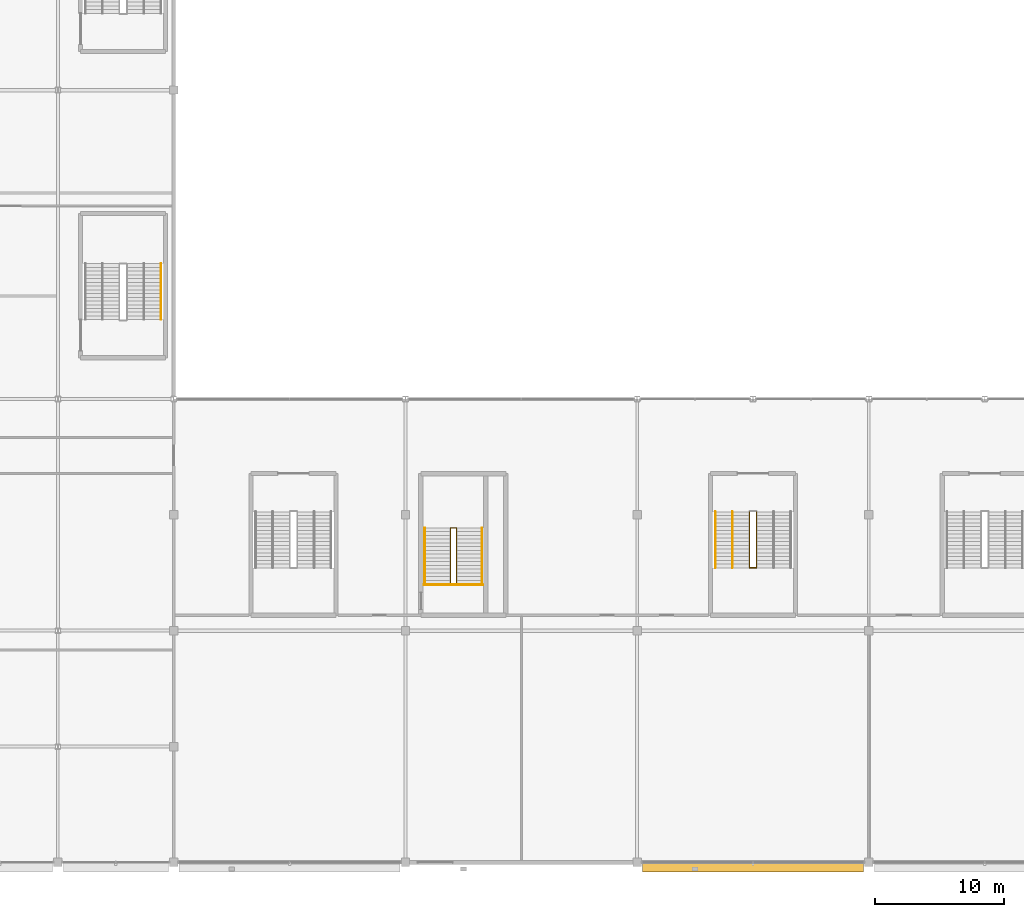
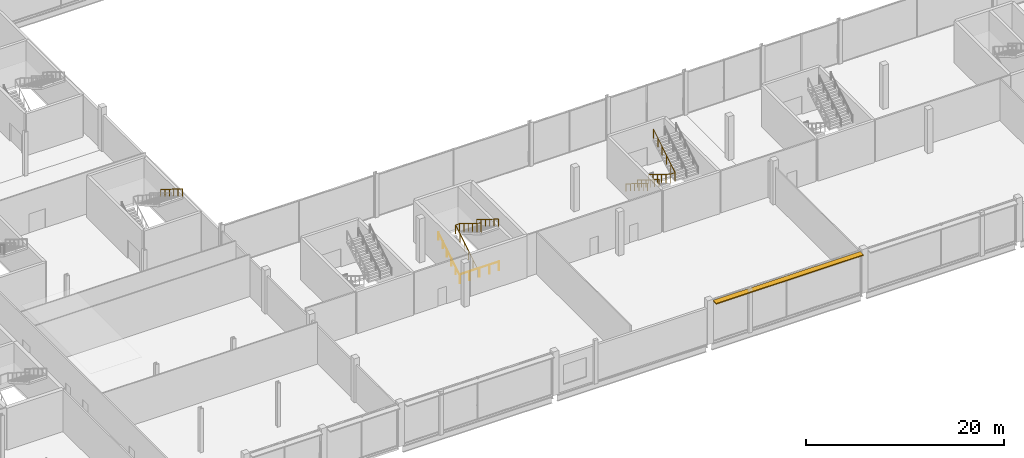
# One storey, part 99 of 111: 8 railings, 1 shading device.
"""IFC4 building model written with IfcOpenShell, lengths in metres."""

from ifc_helpers import new_model, si_unit, direction, frame, origin, origin_2d, place, context, subcontext, project, spatial, rectangle, circle, extrude, material, type_object, element, save


model = new_model("IFC4")

# Units and contexts
model_context = context("Model", 3, precision=1e-05, world=origin(), true_north=direction((0.0, 1.0)))
body_context = subcontext(model_context, "Body", "Model", "MODEL_VIEW")
ifc_project = project(units=[si_unit("LENGTHUNIT", "METRE"), si_unit("AREAUNIT", "SQUARE_METRE"), si_unit("VOLUMEUNIT", "CUBIC_METRE"), si_unit("PLANEANGLEUNIT", "RADIAN"), si_unit("MASSUNIT", "GRAM", prefix="KILO")], contexts=[model_context])

# Site, building, storey
site_placement = place(None, origin())
site = spatial("IfcSite", under=ifc_project, at=site_placement, CompositionType="ELEMENT")
building_placement = place(site_placement, origin())
building = spatial("IfcBuilding", under=site, at=building_placement, Name="Kisiwana Market Hall", CompositionType="ELEMENT")
storey_placement = place(building_placement, frame((0.0, 0.0, 11.39990234375)))
storey = spatial("IfcBuildingStorey", under=building, at=storey_placement, Name="L02", CompositionType="ELEMENT", Elevation=11.39990234375)

# Railings
ifc_material_1 = material(Name="Steel S275", Category="steel")
railing_type_1 = type_object("IfcRailingType", Name="RL-GUARD-1100", PredefinedType="GUARDRAIL", material=ifc_material_1)
railing_1_placement = place(storey_placement, frame((66.5, 21.62939453125, 0.0)))
element("IfcRailing", 1, at=railing_1_placement, inside=storey, type_object=railing_type_1, Name="Stair ST-S1-L02 inner-well guardrail (RL-491)", PredefinedType="GUARDRAIL", context=body_context, shape_type="SweptSolid", body=[
    extrude(circle(Radius=0.02392578125, at=origin_2d()), frame((0.0, 0.0, 1.076171875), z_axis=(0.0, 0.849628378081, 0.527381853271), x_axis=(-1.0, 0.0, 0.0)), (0.0, 0.0, 1.0), 5.1201171875),
    extrude(circle(Radius=0.02392578125, at=origin_2d()), frame((0.0, 4.35009765625, 3.7763671875), z_axis=(1.0, 0.0, 0.0), x_axis=(0.0, 1.0, 0.0)), (0.0, 0.0, 1.0), 0.4599609375),
    extrude(circle(Radius=0.02392578125, at=origin_2d()), frame((0.4599609375, 4.35009765625, 3.7763671875), z_axis=(0.0, -0.849649743971, 0.527347430608), x_axis=(1.0, 0.0, 0.0)), (0.0, 0.0, 1.0), 5.119873046875),
    extrude(circle(Radius=0.02099609375, at=origin_2d()), origin(), (0.0, 0.0, 1.0), 1.052001953125),
    extrude(circle(Radius=0.02099609375, at=origin_2d()), frame((0.0, 0.8701171875, 0.5400390625)), (0.0, 0.0, 1.0), 1.052001953125),
    extrude(circle(Radius=0.02099609375, at=origin_2d()), frame((0.0, 1.739990234375, 1.080078125)), (0.0, 0.0, 1.0), 1.052001953125),
    extrude(circle(Radius=0.02099609375, at=origin_2d()), frame((0.0, 2.610107421875, 1.6201171875)), (0.0, 0.0, 1.0), 1.052001953125),
    extrude(circle(Radius=0.02099609375, at=origin_2d()), frame((0.0, 3.47998046875, 2.16015625)), (0.0, 0.0, 1.0), 1.052001953125),
    extrude(circle(Radius=0.02099609375, at=origin_2d()), frame((0.0, 4.35009765625, 2.7001953125)), (0.0, 0.0, 1.0), 1.052001953125),
    extrude(circle(Radius=0.02099609375, at=origin_2d()), frame((0.4599609375, 4.35009765625, 2.7001953125)), (0.0, 0.0, 1.0), 1.052001953125),
    extrude(circle(Radius=0.02099609375, at=origin_2d()), frame((0.4599609375, 3.47998046875, 3.240234375)), (0.0, 0.0, 1.0), 1.052001953125),
    extrude(circle(Radius=0.02099609375, at=origin_2d()), frame((0.4599609375, 2.610107421875, 3.7802734375)), (0.0, 0.0, 1.0), 1.052001953125),
    extrude(circle(Radius=0.02099609375, at=origin_2d()), frame((0.4599609375, 1.739990234375, 4.320068359375)), (0.0, 0.0, 1.0), 1.052001953125),
    extrude(circle(Radius=0.02099609375, at=origin_2d()), frame((0.4599609375, 0.8701171875, 4.860107421875)), (0.0, 0.0, 1.0), 1.052001953125),
    extrude(circle(Radius=0.02099609375, at=origin_2d()), frame((0.4599609375, 0.0, 5.400146484375)), (0.0, 0.0, 1.0), 1.052001953125),
])
railing_2_placement = place(storey_placement, frame((64.43994140625, 21.569580078125, 0.0)))
element("IfcRailing", 2, at=railing_2_placement, inside=storey, type_object=railing_type_1, Name="Stair ST-S1-L02 landing edge guardrail (RL-494)", PredefinedType="GUARDRAIL", context=body_context, shape_type="SweptSolid", body=[
    extrude(circle(Radius=0.02392578125, at=origin_2d()), frame((0.0, 0.0, 1.076171875), z_axis=(1.0, 0.0, 0.0), x_axis=(0.0, 1.0, 0.0)), (0.0, 0.0, 1.0), 4.580078125),
    extrude(circle(Radius=0.02099609375, at=origin_2d()), origin(), (0.0, 0.0, 1.0), 1.052001953125),
    extrude(circle(Radius=0.02099609375, at=origin_2d()), frame((1.14501953125, 0.0, 0.0)), (0.0, 0.0, 1.0), 1.052001953125),
    extrude(circle(Radius=0.02099609375, at=origin_2d()), frame((2.2900390625, 0.0, 0.0)), (0.0, 0.0, 1.0), 1.052001953125),
    extrude(circle(Radius=0.02099609375, at=origin_2d()), frame((3.43505859375, 0.0, 0.0)), (0.0, 0.0, 1.0), 1.052001953125),
    extrude(circle(Radius=0.02099609375, at=origin_2d()), frame((4.580078125, 0.0, 0.0)), (0.0, 0.0, 1.0), 1.052001953125),
])
railing_3_placement = place(storey_placement, frame((89.719970703125, 27.239990234375, 0.0)))
element("IfcRailing", 3, at=railing_3_placement, inside=storey, type_object=railing_type_1, Name="Stair ST-S4-L02 inner-well guardrail (RL-603)", PredefinedType="GUARDRAIL", context=body_context, shape_type="SweptSolid", body=[
    extrude(circle(Radius=0.02392578125, at=origin_2d()), frame((0.0, 0.0, 1.076171875), z_axis=(0.0, -0.849628378081, 0.527381853271), x_axis=(1.0, 0.0, 0.0)), (0.0, 0.0, 1.0), 5.1201171875),
    extrude(circle(Radius=0.02392578125, at=origin_2d()), frame((0.0, -4.35009765625, 3.7763671875), z_axis=(1.0, 0.0, 0.0), x_axis=(0.0, 1.0, 0.0)), (0.0, 0.0, 1.0), 0.56005859375),
    extrude(circle(Radius=0.02392578125, at=origin_2d()), frame((0.56005859375, -4.35009765625, 3.7763671875), z_axis=(0.0, 0.849649743971, 0.527347430608), x_axis=(-1.0, 0.0, 0.0)), (0.0, 0.0, 1.0), 5.119873046875),
    extrude(circle(Radius=0.02099609375, at=origin_2d()), origin(), (0.0, 0.0, 1.0), 1.052001953125),
    extrude(circle(Radius=0.02099609375, at=origin_2d()), frame((0.0, -0.8701171875, 0.5400390625)), (0.0, 0.0, 1.0), 1.052001953125),
    extrude(circle(Radius=0.02099609375, at=origin_2d()), frame((0.0, -1.739990234375, 1.080078125)), (0.0, 0.0, 1.0), 1.052001953125),
    extrude(circle(Radius=0.02099609375, at=origin_2d()), frame((0.0, -2.610107421875, 1.6201171875)), (0.0, 0.0, 1.0), 1.052001953125),
    extrude(circle(Radius=0.02099609375, at=origin_2d()), frame((0.0, -3.47998046875, 2.16015625)), (0.0, 0.0, 1.0), 1.052001953125),
    extrude(circle(Radius=0.02099609375, at=origin_2d()), frame((0.0, -4.35009765625, 2.7001953125)), (0.0, 0.0, 1.0), 1.052001953125),
    extrude(circle(Radius=0.02099609375, at=origin_2d()), frame((0.56005859375, -4.35009765625, 2.7001953125)), (0.0, 0.0, 1.0), 1.052001953125),
    extrude(circle(Radius=0.02099609375, at=origin_2d()), frame((0.56005859375, -3.47998046875, 3.240234375)), (0.0, 0.0, 1.0), 1.052001953125),
    extrude(circle(Radius=0.02099609375, at=origin_2d()), frame((0.56005859375, -2.610107421875, 3.7802734375)), (0.0, 0.0, 1.0), 1.052001953125),
    extrude(circle(Radius=0.02099609375, at=origin_2d()), frame((0.56005859375, -1.739990234375, 4.320068359375)), (0.0, 0.0, 1.0), 1.052001953125),
    extrude(circle(Radius=0.02099609375, at=origin_2d()), frame((0.56005859375, -0.8701171875, 4.860107421875)), (0.0, 0.0, 1.0), 1.052001953125),
    extrude(circle(Radius=0.02099609375, at=origin_2d()), frame((0.56005859375, 0.0, 5.400146484375)), (0.0, 0.0, 1.0), 1.052001953125),
])
ifc_material_2 = material(Name="Steel S275", Category="steel")
railing_type_2 = type_object("IfcRailingType", Name="RL-HAND-900", PredefinedType="HANDRAIL", material=ifc_material_2)
railing_4_placement = place(storey_placement, frame((64.5, 21.62939453125, 0.0)))
element("IfcRailing", 4, at=railing_4_placement, inside=storey, type_object=railing_type_2, Name="Stair ST-S1-L02 flight 1 handrail (RL-492)", PredefinedType="HANDRAIL", context=body_context, shape_type="SweptSolid", body=[
    extrude(circle(Radius=0.02392578125, at=origin_2d()), frame((0.0, 0.0, 0.8759765625), z_axis=(0.0, 0.849628378081, 0.527381853271), x_axis=(-1.0, 0.0, 0.0)), (0.0, 0.0, 1.0), 5.1201171875),
    extrude(circle(Radius=0.02099609375, at=origin_2d()), origin(), (0.0, 0.0, 1.0), 0.851806640625),
    extrude(circle(Radius=0.02099609375, at=origin_2d()), frame((0.0, 0.8701171875, 0.5400390625)), (0.0, 0.0, 1.0), 0.851806640625),
    extrude(circle(Radius=0.02099609375, at=origin_2d()), frame((0.0, 1.739990234375, 1.080078125)), (0.0, 0.0, 1.0), 0.851806640625),
    extrude(circle(Radius=0.02099609375, at=origin_2d()), frame((0.0, 2.610107421875, 1.6201171875)), (0.0, 0.0, 1.0), 0.851806640625),
    extrude(circle(Radius=0.02099609375, at=origin_2d()), frame((0.0, 3.47998046875, 2.16015625)), (0.0, 0.0, 1.0), 0.851806640625),
    extrude(circle(Radius=0.02099609375, at=origin_2d()), frame((0.0, 4.35009765625, 2.7001953125)), (0.0, 0.0, 1.0), 0.851806640625),
])
for number, where, name in (
    (5, (68.9599609375, 25.9794921875, 2.7001953125), "Stair ST-S1-L02 flight 2 handrail (RL-493)"),
    (6, (44.0, 46.510009765625, 2.7001953125), "Stair ST-W9-L02 flight 2 handrail (RL-557)"),
):
    element("IfcRailing", number, at=place(storey_placement, frame(where)), inside=storey, type_object=railing_type_2, Name=name, PredefinedType="HANDRAIL", context=body_context, shape_type="SweptSolid", body=[
        extrude(circle(Radius=0.02392578125, at=origin_2d()), frame((0.0, 0.0, 0.8759765625), z_axis=(0.0, -0.849649743971, 0.527347430608), x_axis=(1.0, 0.0, 0.0)), (0.0, 0.0, 1.0), 5.119873046875),
        extrude(circle(Radius=0.02099609375, at=origin_2d()), origin(), (0.0, 0.0, 1.0), 0.851806640625),
        extrude(circle(Radius=0.02099609375, at=origin_2d()), frame((0.0, -0.8701171875, 0.5400390625)), (0.0, 0.0, 1.0), 0.851806640625),
        extrude(circle(Radius=0.02099609375, at=origin_2d()), frame((0.0, -1.739990234375, 1.080078125)), (0.0, 0.0, 1.0), 0.851806640625),
        extrude(circle(Radius=0.02099609375, at=origin_2d()), frame((0.0, -2.610107421875, 1.619873046875)), (0.0, 0.0, 1.0), 0.851806640625),
        extrude(circle(Radius=0.02099609375, at=origin_2d()), frame((0.0, -3.47998046875, 2.159912109375)), (0.0, 0.0, 1.0), 0.851806640625),
        extrude(circle(Radius=0.02099609375, at=origin_2d()), frame((0.0, -4.35009765625, 2.699951171875)), (0.0, 0.0, 1.0), 0.851806640625),
    ])
for number, where, name in (
    (7, (87.070068359375, 27.239990234375, 0.0), "Stair ST-S4-L02 flight 1 handrail (RL-604)"),
    (8, (88.389892578125, 27.239990234375, 0.0), "Stair ST-S4-L02 flight 1 intermediate handrail (RL-606)"),
):
    element("IfcRailing", number, at=place(storey_placement, frame(where)), inside=storey, type_object=railing_type_2, Name=name, PredefinedType="HANDRAIL", context=body_context, shape_type="SweptSolid", body=[
        extrude(circle(Radius=0.02392578125, at=origin_2d()), frame((0.0, 0.0, 0.8759765625), z_axis=(0.0, -0.849628378081, 0.527381853271), x_axis=(1.0, 0.0, 0.0)), (0.0, 0.0, 1.0), 5.1201171875),
        extrude(circle(Radius=0.02099609375, at=origin_2d()), origin(), (0.0, 0.0, 1.0), 0.851806640625),
        extrude(circle(Radius=0.02099609375, at=origin_2d()), frame((0.0, -0.8701171875, 0.5400390625)), (0.0, 0.0, 1.0), 0.851806640625),
        extrude(circle(Radius=0.02099609375, at=origin_2d()), frame((0.0, -1.739990234375, 1.080078125)), (0.0, 0.0, 1.0), 0.851806640625),
        extrude(circle(Radius=0.02099609375, at=origin_2d()), frame((0.0, -2.610107421875, 1.6201171875)), (0.0, 0.0, 1.0), 0.851806640625),
        extrude(circle(Radius=0.02099609375, at=origin_2d()), frame((0.0, -3.47998046875, 2.16015625)), (0.0, 0.0, 1.0), 0.851806640625),
        extrude(circle(Radius=0.02099609375, at=origin_2d()), frame((0.0, -4.35009765625, 2.7001953125)), (0.0, 0.0, 1.0), 0.851806640625),
    ])

# Shading device
ifc_material_3 = material(Name="Aluminium alloy 6063-T6", Category="aluminium")
shading_device_type = type_object("IfcShadingDeviceType", Name="SHD-JALOUSIE-H", PredefinedType="JALOUSIE", material=ifc_material_3)
shading_device_placement = place(storey_placement, frame((90.0, -0.419921875, 4.969970703125), z_axis=(0.0, 0.0, 1.0), x_axis=(1.0, 0.0, 0.0)))
element("IfcShadingDevice", 9, at=shading_device_placement, inside=storey, type_object=shading_device_type, Name="Aluminium brise-soleil louvre SHD-043 SD-043", PredefinedType="JALOUSIE", context=body_context, shape_type="SweptSolid", body=[
    extrude(rectangle(XDim=17.14990234375, YDim=0.64990234375, at=origin_2d()), origin(), (0.0, 0.0, 1.0), 0.1201171875),
])

save(model, "model.ifc")
